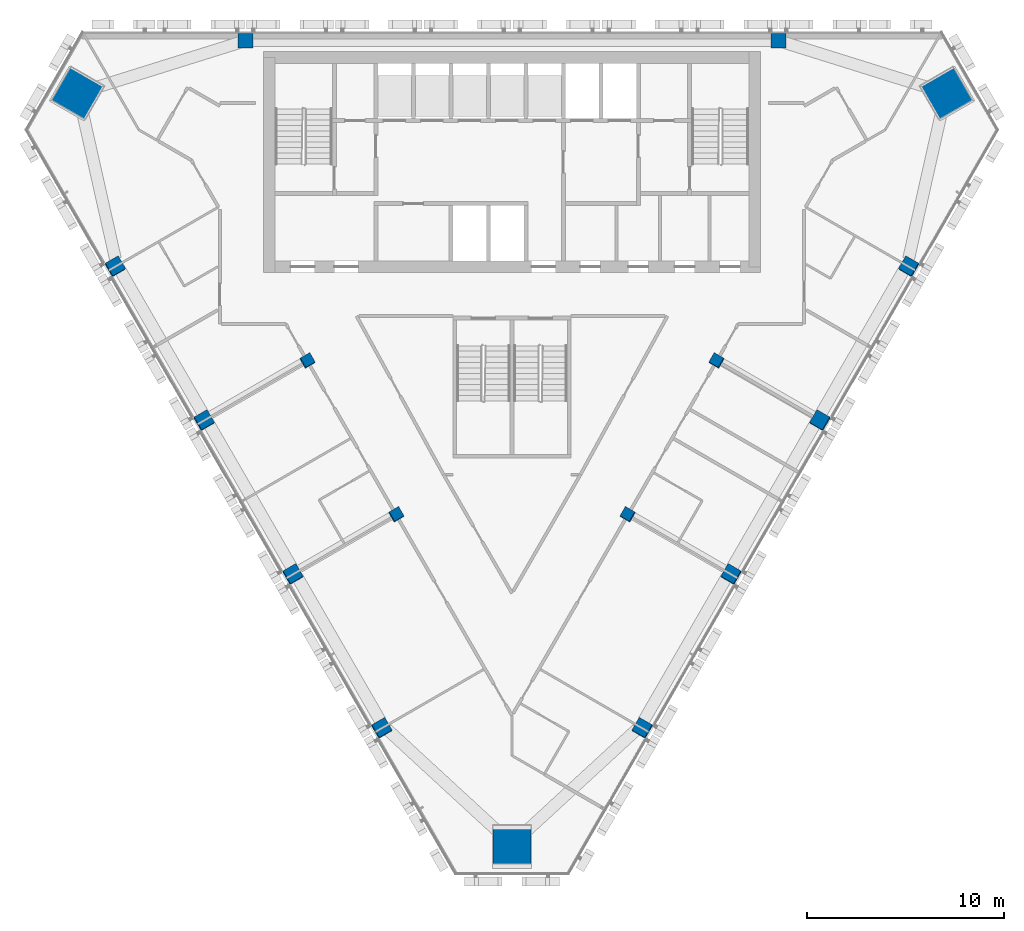
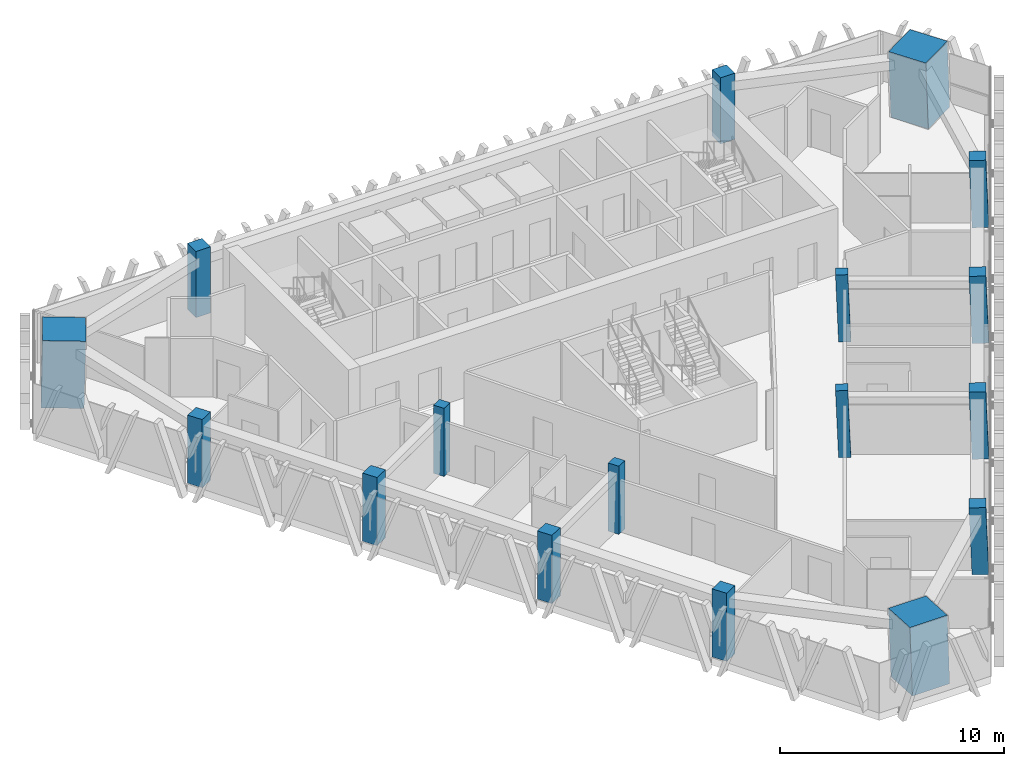
# One storey, part 1 of 14: 17 columns.
"""IFC4 building model written with IfcOpenShell, lengths in metres."""

from ifc_helpers import new_model, si_unit, direction, frame, origin, origin_2d, place, context, subcontext, project, spatial, rectangle, extrude, material, material_profile, profile_set, type_object, element, save


model = new_model("IFC4")

# Units and contexts
model_context = context("Model", 3, precision=1e-05, world=origin(), true_north=direction((0.0, 1.0)))
body_context = subcontext(model_context, "Body", "Model", "MODEL_VIEW")
ifc_project = project(units=[si_unit("LENGTHUNIT", "METRE"), si_unit("AREAUNIT", "SQUARE_METRE"), si_unit("VOLUMEUNIT", "CUBIC_METRE"), si_unit("PLANEANGLEUNIT", "RADIAN"), si_unit("MASSUNIT", "GRAM", prefix="KILO")], contexts=[model_context])

# Site, building, storey
site_placement = place(None, origin())
site = spatial("IfcSite", under=ifc_project, at=site_placement, CompositionType="ELEMENT")
building_placement = place(site_placement, origin())
building = spatial("IfcBuilding", under=site, at=building_placement, Name="Altiplano Prism Tower", CompositionType="ELEMENT")
storey_placement = place(building_placement, frame((0.0, 0.0, 226.60009765625)))
storey = spatial("IfcBuildingStorey", under=building, at=storey_placement, Name="L58", CompositionType="ELEMENT", Elevation=226.60009765625)

# Columns
ifc_material_1 = material(Name="Concrete C60/75", Category="concrete")
ifc_material_profile_1 = material_profile(ifc_material_1, rectangle(XDim=0.550048828125, YDim=0.550048828125, at=origin_2d()), Name="Inner column 550")
ifc_profile_set_1 = profile_set([ifc_material_profile_1], Name="Concrete C60/75")
column_type_1 = type_object("IfcColumnType", Name="Inner column 550", PredefinedType="COLUMN", material=ifc_profile_set_1)
for number, where, z_axis, x_axis, name in (
    (1, (74.627197265625, 88.328125, -0.016845703125), (0.022221406801, 0.038413224561, 0.999014831351), (-0.866021380218, -0.498527772566, 0.0384321348), "Inner column I12 L58"),
    (2, (79.127197265625, 80.533935546875, -0.016845703125), (0.022221406801, 0.038413224561, 0.999014831351), (-0.8660213715, -0.498527787681, 0.038432135187), "Inner column I13 L58"),
    (3, (90.872802734375, 80.533935546875, -0.016845703125), (-0.022221406801, 0.038413224561, 0.999014831351), (-0.499512955973, -0.866022210505, 0.022188684646), "Inner column I22 L58"),
    (4, (95.372802734375, 88.328125, -0.016845703125), (-0.022221406801, 0.038413224561, 0.999014831351), (-0.499512940858, -0.866022219206, 0.022188685317), "Inner column I23 L58"),
):
    element("IfcColumn", number, at=place(storey_placement, frame(where, z_axis=z_axis, x_axis=x_axis)), inside=storey, type_object=column_type_1, Name=name, PredefinedType="COLUMN", context=body_context, shape_type="SweptSolid", body=[
        extrude(rectangle(XDim=0.550048828125, YDim=0.550048828125, at=origin_2d()), origin(), (0.0, 0.0, 1.0), 3.603759765625),
    ])
ifc_material_2 = material(Name="Concrete C70/85", Category="concrete")
ifc_material_profile_2 = material_profile(ifc_material_2, rectangle(XDim=1.919921875, YDim=1.919921875, at=origin_2d()), Name="Mega column infill 2000")
ifc_profile_set_2 = profile_set([ifc_material_profile_2], Name="Concrete C70/85")
column_type_2 = type_object("IfcColumnType", Name="Mega column infill 2000", PredefinedType="COLUMN", material=ifc_profile_set_2)
column_1_placement = place(storey_placement, frame((62.922119140625, 101.86767578125, 0.0), z_axis=(0.028403721265, 0.009287135593, 0.999553389135), x_axis=(-0.866201877506, 0.49929479911, 0.019975259356)))
element("IfcColumn", 5, at=column_1_placement, inside=storey, type_object=column_type_2, Name="Mega column M0 L58", PredefinedType="COLUMN", context=body_context, shape_type="SweptSolid", body=[
    extrude(rectangle(XDim=1.919921875, YDim=1.919921875, at=origin_2d()), origin(), (0.0, 0.0, 1.0), 3.6015625),
])
column_2_placement = place(storey_placement, frame((85.0, 63.627685546875, 0.0), z_axis=(0.0, 0.058360852261, 0.998295552892), x_axis=(-1.0, 0.0, 0.0)))
element("IfcColumn", 6, at=column_2_placement, inside=storey, type_object=column_type_2, Name="Mega column M1 L58", PredefinedType="COLUMN", context=body_context, shape_type="SweptSolid", body=[
    extrude(rectangle(XDim=1.919921875, YDim=1.919921875, at=origin_2d()), origin(), (0.0, 0.0, 1.0), 3.60595703125),
])
column_3_placement = place(storey_placement, frame((107.077880859375, 101.86767578125, 0.0), z_axis=(-0.028403721265, 0.009287135593, 0.999553389135), x_axis=(0.498883801201, -0.866383831898, 0.022226307065)))
element("IfcColumn", 7, at=column_3_placement, inside=storey, type_object=column_type_2, Name="Mega column M2 L58", PredefinedType="COLUMN", context=body_context, shape_type="SweptSolid", body=[
    extrude(rectangle(XDim=1.919921875, YDim=1.919921875, at=origin_2d()), origin(), (0.0, 0.0, 1.0), 3.6015625),
])
ifc_material_profile_3 = material_profile(ifc_material_1, rectangle(XDim=0.75, YDim=0.75, at=origin_2d()), Name="Perimeter column 750")
ifc_profile_set_3 = profile_set([ifc_material_profile_3], Name="Concrete C60/75")
column_type_3 = type_object("IfcColumnType", Name="Perimeter column 750", PredefinedType="COLUMN", material=ifc_profile_set_3)
for number, where, z_axis, x_axis, name in (
    (8, (98.5, 104.550048828125, 0.0), (0.0, 0.0, 1.0), (1.0, 0.0, 0.0), "Perimeter column P01 L58"),
    (9, (71.5, 104.550048828125, 0.0), (0.0, 0.0, 1.0), (1.0, 0.0, 0.0), "Perimeter column P04 L58"),
):
    element("IfcColumn", number, at=place(storey_placement, frame(where, z_axis=z_axis, x_axis=x_axis)), inside=storey, type_object=column_type_3, Name=name, PredefinedType="COLUMN", context=body_context, shape_type="SweptSolid", body=[
        extrude(rectangle(XDim=0.75, YDim=0.75, at=origin_2d()), origin(), (0.0, 0.0, 1.0), 3.599853515625),
    ])
for number, where, z_axis, x_axis, name in (
    (10, (64.8876953125, 93.09716796875, -0.02294921875), (0.02215369191, 0.038413282303, 0.999016333038), (-0.865361987983, -0.499673744646, 0.038402847096), "Perimeter column P11 L58"),
    (11, (69.3876953125, 85.302734375, -0.02294921875), (0.022153634206, 0.038480930364, 0.999013730882), (-0.864979737564, -0.50033126583, 0.038453582882), "Perimeter column P12 L58"),
    (12, (73.8876953125, 77.508544921875, -0.02294921875), (0.022153634206, 0.038480930364, 0.999013730882), (-0.864979728815, -0.500331280926, 0.038453583269), "Perimeter column P13 L58"),
    (13, (78.3876953125, 69.71435546875, -0.02294921875), (0.022153634206, 0.038480930364, 0.999013730882), (-0.864979737564, -0.50033126583, 0.038453582882), "Perimeter column P14 L58"),
    (14, (91.6123046875, 69.71435546875, -0.02294921875), (-0.022153634206, 0.038480930364, 0.999013730882), (-0.501317534198, -0.86497852137, 0.022201069202), "Perimeter column P21 L58"),
    (15, (96.1123046875, 77.508544921875, -0.02294921875), (-0.022153634206, 0.038480930364, 0.999013730882), (-0.501317549295, -0.864978512638, 0.022201068531), "Perimeter column P22 L58"),
    (16, (100.6123046875, 85.302734375, -0.02294921875), (-0.022153634206, 0.038480930364, 0.999013730882), (-0.501317534198, -0.86497852137, 0.022201069202), "Perimeter column P23 L58"),
    (17, (105.1123046875, 93.09716796875, -0.02294921875), (-0.02215369191, 0.038413282303, 0.999016333038), (-0.500657411499, -0.865361524829, 0.022171776144), "Perimeter column P24 L58"),
):
    element("IfcColumn", number, at=place(storey_placement, frame(where, z_axis=z_axis, x_axis=x_axis)), inside=storey, type_object=column_type_3, Name=name, PredefinedType="COLUMN", context=body_context, shape_type="SweptSolid", body=[
        extrude(rectangle(XDim=0.75, YDim=0.75, at=origin_2d()), origin(), (0.0, 0.0, 1.0), 3.603759765625),
    ])

save(model, "model.ifc")
